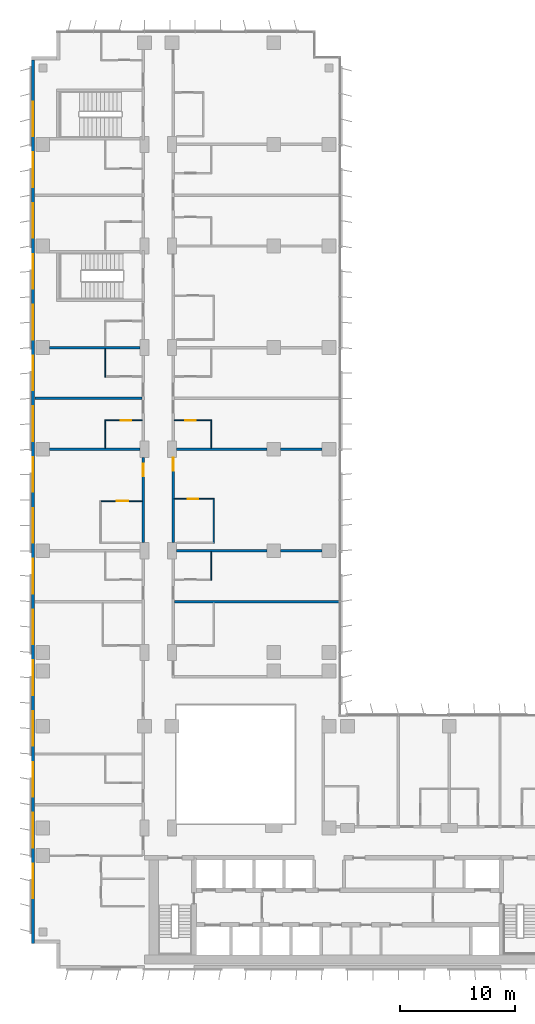
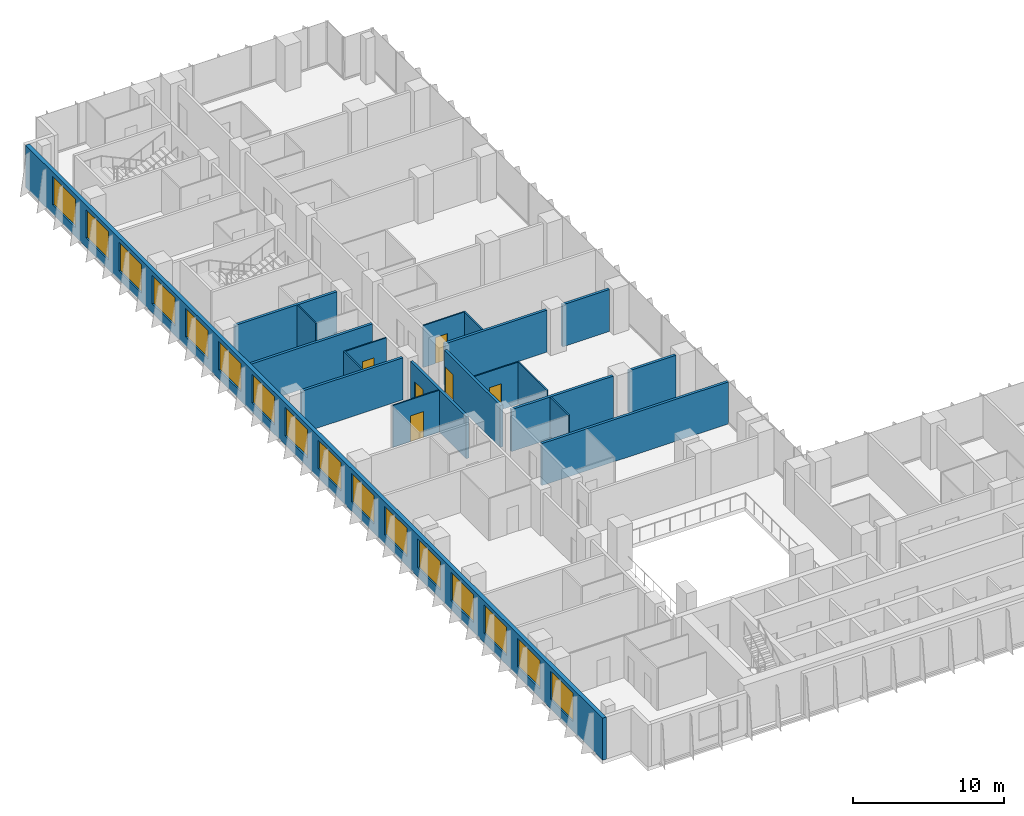
# One storey, part 16 of 23: 20 walls, 16 windows, 6 doors, 22 openings.
"""IFC4 building model written with IfcOpenShell, lengths in metres."""

from ifc_helpers import new_model, si_unit, direction, frame, frame_2d, origin, place, context, subcontext, project, spatial, rectangle, extrude, material, layer, layer_set, type_object, element, fill, save


model = new_model("IFC4")

# Units and contexts
model_context = context("Model", 3, precision=1e-05, world=origin(), true_north=direction((0.0, 1.0)))
body_context = subcontext(model_context, "Body", "Model", "MODEL_VIEW")
ifc_project = project(units=[si_unit("LENGTHUNIT", "METRE"), si_unit("AREAUNIT", "SQUARE_METRE"), si_unit("VOLUMEUNIT", "CUBIC_METRE"), si_unit("PLANEANGLEUNIT", "RADIAN"), si_unit("MASSUNIT", "GRAM", prefix="KILO")], contexts=[model_context])

# Site, building, storey
site_placement = place(None, origin())
site = spatial("IfcSite", under=ifc_project, at=site_placement, CompositionType="ELEMENT")
building_placement = place(site_placement, origin())
building = spatial("IfcBuilding", under=site, at=building_placement, Name="Kemantara Hotel Tower", CompositionType="ELEMENT")
storey_placement = place(building_placement, frame((0.0, 0.0, 114.800048828125)))
storey = spatial("IfcBuildingStorey", under=building, at=storey_placement, Name="L27", CompositionType="ELEMENT", Elevation=114.800048828125)

# Wall, openings, windows
ifc_material_1 = material(Name="Bronze anodised aluminium cladding on insulated steel stud wall", Category="steel")
ifc_layer_1 = layer(ifc_material_1, 0.300048828125)
ifc_layer_set_1 = layer_set([ifc_layer_1], Name="Bronze anodised aluminium cladding on insulated steel stud wall")
wall_type_1 = type_object("IfcWallType", Name="BRONZE METAL-CLAD EXTERNAL WALL 300", PredefinedType="STANDARD", material=ifc_layer_set_1)
wall_1_placement = place(storey_placement, frame((0.14990234375, 78.699951171875, 0.0), z_axis=(0.0, 0.0, 1.0), x_axis=(0.0, -1.0, 0.0)))
wall_1 = element("IfcWall", 1, at=wall_1_placement, inside=storey, type_object=wall_type_1, Name="EXTERNAL WALL L27 T2-R04", PredefinedType="STANDARD", context=body_context, shape_type="SweptSolid", body=[
    extrude(rectangle(XDim=76.5, YDim=0.300048828125, at=frame_2d((38.25, 0.0))), origin(), (0.0, 0.0, 1.0), 3.39990234375),
])
opening_1_placement = place(wall_1_placement, frame((3.60009765625, 0.0, 0.75)))
opening_1 = element("IfcOpeningElement", 2, at=opening_1_placement, cuts=wall_1, Name="Opening W1", PredefinedType="OPENING", context=body_context, shape_type="SweptSolid", body=[
    extrude(rectangle(XDim=3.0, YDim=2.300048828125, at=frame_2d((1.5, 1.14990234375))), frame((0.0, 0.159912109375, 0.0), z_axis=(0.0, -1.0, 0.0), x_axis=(1.0, 0.0, 0.0)), (0.0, 0.0, 1.0), 0.320068359375),
])
opening_2_placement = place(wall_1_placement, frame((8.0, 0.0, 0.75)))
opening_2 = element("IfcOpeningElement", 3, at=opening_2_placement, cuts=wall_1, Name="Opening W1", PredefinedType="OPENING", context=body_context, shape_type="SweptSolid", body=[
    extrude(rectangle(XDim=3.0, YDim=2.300048828125, at=frame_2d((1.5, 1.14990234375))), frame((0.0, 0.159912109375, 0.0), z_axis=(0.0, -1.0, 0.0), x_axis=(1.0, 0.0, 0.0)), (0.0, 0.0, 1.0), 0.320068359375),
])
opening_3_placement = place(wall_1_placement, frame((12.39990234375, 0.0, 0.75)))
opening_3 = element("IfcOpeningElement", 4, at=opening_3_placement, cuts=wall_1, Name="Opening W1", PredefinedType="OPENING", context=body_context, shape_type="SweptSolid", body=[
    extrude(rectangle(XDim=3.0, YDim=2.300048828125, at=frame_2d((1.5, 1.14990234375))), frame((0.0, 0.159912109375, 0.0), z_axis=(0.0, -1.0, 0.0), x_axis=(1.0, 0.0, 0.0)), (0.0, 0.0, 1.0), 0.320068359375),
])
opening_4_placement = place(wall_1_placement, frame((16.800048828125, 0.0, 0.75)))
opening_4 = element("IfcOpeningElement", 5, at=opening_4_placement, cuts=wall_1, Name="Opening W1", PredefinedType="OPENING", context=body_context, shape_type="SweptSolid", body=[
    extrude(rectangle(XDim=3.0, YDim=2.300048828125, at=frame_2d((1.5, 1.14990234375))), frame((0.0, 0.159912109375, 0.0), z_axis=(0.0, -1.0, 0.0), x_axis=(1.0, 0.0, 0.0)), (0.0, 0.0, 1.0), 0.320068359375),
])
opening_5_placement = place(wall_1_placement, frame((21.199951171875, 0.0, 0.75)))
opening_5 = element("IfcOpeningElement", 6, at=opening_5_placement, cuts=wall_1, Name="Opening W1", PredefinedType="OPENING", context=body_context, shape_type="SweptSolid", body=[
    extrude(rectangle(XDim=3.0, YDim=2.300048828125, at=frame_2d((1.5, 1.14990234375))), frame((0.0, 0.159912109375, 0.0), z_axis=(0.0, -1.0, 0.0), x_axis=(1.0, 0.0, 0.0)), (0.0, 0.0, 1.0), 0.320068359375),
])
opening_6_placement = place(wall_1_placement, frame((25.60009765625, 0.0, 0.75)))
opening_6 = element("IfcOpeningElement", 7, at=opening_6_placement, cuts=wall_1, Name="Opening W1", PredefinedType="OPENING", context=body_context, shape_type="SweptSolid", body=[
    extrude(rectangle(XDim=3.0, YDim=2.300048828125, at=frame_2d((1.5, 1.14990234375))), frame((0.0, 0.159912109375, 0.0), z_axis=(0.0, -1.0, 0.0), x_axis=(1.0, 0.0, 0.0)), (0.0, 0.0, 1.0), 0.320068359375),
])
opening_7_placement = place(wall_1_placement, frame((30.0, 0.0, 0.75)))
opening_7 = element("IfcOpeningElement", 8, at=opening_7_placement, cuts=wall_1, Name="Opening W1", PredefinedType="OPENING", context=body_context, shape_type="SweptSolid", body=[
    extrude(rectangle(XDim=3.0, YDim=2.300048828125, at=frame_2d((1.5, 1.14990234375))), frame((0.0, 0.159912109375, 0.0), z_axis=(0.0, -1.0, 0.0), x_axis=(1.0, 0.0, 0.0)), (0.0, 0.0, 1.0), 0.320068359375),
])
opening_8_placement = place(wall_1_placement, frame((34.39990234375, 0.0, 0.75)))
opening_8 = element("IfcOpeningElement", 9, at=opening_8_placement, cuts=wall_1, Name="Opening W1", PredefinedType="OPENING", context=body_context, shape_type="SweptSolid", body=[
    extrude(rectangle(XDim=3.0, YDim=2.300048828125, at=frame_2d((1.5, 1.14990234375))), frame((0.0, 0.159912109375, 0.0), z_axis=(0.0, -1.0, 0.0), x_axis=(1.0, 0.0, 0.0)), (0.0, 0.0, 1.0), 0.320068359375),
])
opening_9_placement = place(wall_1_placement, frame((38.800048828125, 0.0, 0.75)))
opening_9 = element("IfcOpeningElement", 10, at=opening_9_placement, cuts=wall_1, Name="Opening W1", PredefinedType="OPENING", context=body_context, shape_type="SweptSolid", body=[
    extrude(rectangle(XDim=3.0, YDim=2.300048828125, at=frame_2d((1.5, 1.14990234375))), frame((0.0, 0.159912109375, 0.0), z_axis=(0.0, -1.0, 0.0), x_axis=(1.0, 0.0, 0.0)), (0.0, 0.0, 1.0), 0.320068359375),
])
opening_10_placement = place(wall_1_placement, frame((43.199951171875, 0.0, 0.75)))
opening_10 = element("IfcOpeningElement", 11, at=opening_10_placement, cuts=wall_1, Name="Opening W1", PredefinedType="OPENING", context=body_context, shape_type="SweptSolid", body=[
    extrude(rectangle(XDim=3.0, YDim=2.300048828125, at=frame_2d((1.5, 1.14990234375))), frame((0.0, 0.159912109375, 0.0), z_axis=(0.0, -1.0, 0.0), x_axis=(1.0, 0.0, 0.0)), (0.0, 0.0, 1.0), 0.320068359375),
])
opening_11_placement = place(wall_1_placement, frame((47.60009765625, 0.0, 0.75)))
opening_11 = element("IfcOpeningElement", 12, at=opening_11_placement, cuts=wall_1, Name="Opening W1", PredefinedType="OPENING", context=body_context, shape_type="SweptSolid", body=[
    extrude(rectangle(XDim=3.0, YDim=2.300048828125, at=frame_2d((1.5, 1.14990234375))), frame((0.0, 0.159912109375, 0.0), z_axis=(0.0, -1.0, 0.0), x_axis=(1.0, 0.0, 0.0)), (0.0, 0.0, 1.0), 0.320068359375),
])
opening_12_placement = place(wall_1_placement, frame((52.0, 0.0, 0.75)))
opening_12 = element("IfcOpeningElement", 13, at=opening_12_placement, cuts=wall_1, Name="Opening W1", PredefinedType="OPENING", context=body_context, shape_type="SweptSolid", body=[
    extrude(rectangle(XDim=3.0, YDim=2.300048828125, at=frame_2d((1.5, 1.14990234375))), frame((0.0, 0.159912109375, 0.0), z_axis=(0.0, -1.0, 0.0), x_axis=(1.0, 0.0, 0.0)), (0.0, 0.0, 1.0), 0.320068359375),
])
opening_13_placement = place(wall_1_placement, frame((56.39990234375, 0.0, 0.75)))
opening_13 = element("IfcOpeningElement", 14, at=opening_13_placement, cuts=wall_1, Name="Opening W1", PredefinedType="OPENING", context=body_context, shape_type="SweptSolid", body=[
    extrude(rectangle(XDim=3.0, YDim=2.300048828125, at=frame_2d((1.5, 1.14990234375))), frame((0.0, 0.159912109375, 0.0), z_axis=(0.0, -1.0, 0.0), x_axis=(1.0, 0.0, 0.0)), (0.0, 0.0, 1.0), 0.320068359375),
])
opening_14_placement = place(wall_1_placement, frame((60.800048828125, 0.0, 0.75)))
opening_14 = element("IfcOpeningElement", 15, at=opening_14_placement, cuts=wall_1, Name="Opening W1", PredefinedType="OPENING", context=body_context, shape_type="SweptSolid", body=[
    extrude(rectangle(XDim=3.0, YDim=2.300048828125, at=frame_2d((1.5, 1.14990234375))), frame((0.0, 0.159912109375, 0.0), z_axis=(0.0, -1.0, 0.0), x_axis=(1.0, 0.0, 0.0)), (0.0, 0.0, 1.0), 0.320068359375),
])
opening_15_placement = place(wall_1_placement, frame((65.199951171875, 0.0, 0.75)))
opening_15 = element("IfcOpeningElement", 16, at=opening_15_placement, cuts=wall_1, Name="Opening W1", PredefinedType="OPENING", context=body_context, shape_type="SweptSolid", body=[
    extrude(rectangle(XDim=3.0, YDim=2.300048828125, at=frame_2d((1.5, 1.14990234375))), frame((0.0, 0.159912109375, 0.0), z_axis=(0.0, -1.0, 0.0), x_axis=(1.0, 0.0, 0.0)), (0.0, 0.0, 1.0), 0.320068359375),
])
opening_16_placement = place(wall_1_placement, frame((69.60009765625, 0.0, 0.75)))
opening_16 = element("IfcOpeningElement", 17, at=opening_16_placement, cuts=wall_1, Name="Opening W1", PredefinedType="OPENING", context=body_context, shape_type="SweptSolid", body=[
    extrude(rectangle(XDim=3.0, YDim=2.300048828125, at=frame_2d((1.5, 1.14990234375))), frame((0.0, 0.159912109375, 0.0), z_axis=(0.0, -1.0, 0.0), x_axis=(1.0, 0.0, 0.0)), (0.0, 0.0, 1.0), 0.320068359375),
])
ifc_material_2 = material(Name="Low-E tinted double insulated glass in bronze anodised aluminium frame", Category="aluminium")
window_type = type_object("IfcWindowType", Name="CHICAGO WINDOW, TRIPLE PANEL 3000x2300", PartitioningType="TRIPLE_PANEL_VERTICAL", PredefinedType="WINDOW", material=ifc_material_2)
window_1_placement = place(opening_1_placement, origin())
window_1 = element("IfcWindow", 18, at=window_1_placement, inside=storey, type_object=window_type, Name="CHICAGO WINDOW L27 T2-R04-54", OverallHeight=2.300048828125, OverallWidth=3.0, PartitioningType="SINGLE_PANEL", PredefinedType="WINDOW", context=body_context, shape_type="SweptSolid", body=[
    extrude(rectangle(XDim=3.0, YDim=2.300048828125, at=frame_2d((1.5, 1.14990234375))), frame((0.0, 0.030029296875, 0.0), z_axis=(0.0, -1.0, 0.0), x_axis=(1.0, 0.0, 0.0)), (0.0, 0.0, 1.0), 0.06005859375),
])
fill(opening_1, window_1)
window_2_placement = place(opening_2_placement, origin())
window_2 = element("IfcWindow", 19, at=window_2_placement, inside=storey, type_object=window_type, Name="CHICAGO WINDOW L27 T2-R04-98", OverallHeight=2.300048828125, OverallWidth=3.0, PartitioningType="SINGLE_PANEL", PredefinedType="WINDOW", context=body_context, shape_type="SweptSolid", body=[
    extrude(rectangle(XDim=3.0, YDim=2.300048828125, at=frame_2d((1.5, 1.14990234375))), frame((0.0, 0.030029296875, 0.0), z_axis=(0.0, -1.0, 0.0), x_axis=(1.0, 0.0, 0.0)), (0.0, 0.0, 1.0), 0.06005859375),
])
fill(opening_2, window_2)
window_3_placement = place(opening_3_placement, origin())
window_3 = element("IfcWindow", 20, at=window_3_placement, inside=storey, type_object=window_type, Name="CHICAGO WINDOW L27 T2-R04-142", OverallHeight=2.300048828125, OverallWidth=3.0, PartitioningType="SINGLE_PANEL", PredefinedType="WINDOW", context=body_context, shape_type="SweptSolid", body=[
    extrude(rectangle(XDim=3.0, YDim=2.300048828125, at=frame_2d((1.5, 1.14990234375))), frame((0.0, 0.030029296875, 0.0), z_axis=(0.0, -1.0, 0.0), x_axis=(1.0, 0.0, 0.0)), (0.0, 0.0, 1.0), 0.06005859375),
])
fill(opening_3, window_3)
window_4_placement = place(opening_4_placement, origin())
window_4 = element("IfcWindow", 21, at=window_4_placement, inside=storey, type_object=window_type, Name="CHICAGO WINDOW L27 T2-R04-186", OverallHeight=2.300048828125, OverallWidth=3.0, PartitioningType="SINGLE_PANEL", PredefinedType="WINDOW", context=body_context, shape_type="SweptSolid", body=[
    extrude(rectangle(XDim=3.0, YDim=2.300048828125, at=frame_2d((1.5, 1.14990234375))), frame((0.0, 0.030029296875, 0.0), z_axis=(0.0, -1.0, 0.0), x_axis=(1.0, 0.0, 0.0)), (0.0, 0.0, 1.0), 0.06005859375),
])
fill(opening_4, window_4)
window_5_placement = place(opening_5_placement, origin())
window_5 = element("IfcWindow", 22, at=window_5_placement, inside=storey, type_object=window_type, Name="CHICAGO WINDOW L27 T2-R04-230", OverallHeight=2.300048828125, OverallWidth=3.0, PartitioningType="SINGLE_PANEL", PredefinedType="WINDOW", context=body_context, shape_type="SweptSolid", body=[
    extrude(rectangle(XDim=3.0, YDim=2.300048828125, at=frame_2d((1.5, 1.14990234375))), frame((0.0, 0.030029296875, 0.0), z_axis=(0.0, -1.0, 0.0), x_axis=(1.0, 0.0, 0.0)), (0.0, 0.0, 1.0), 0.06005859375),
])
fill(opening_5, window_5)
window_6_placement = place(opening_6_placement, origin())
window_6 = element("IfcWindow", 23, at=window_6_placement, inside=storey, type_object=window_type, Name="CHICAGO WINDOW L27 T2-R04-274", OverallHeight=2.300048828125, OverallWidth=3.0, PartitioningType="SINGLE_PANEL", PredefinedType="WINDOW", context=body_context, shape_type="SweptSolid", body=[
    extrude(rectangle(XDim=3.0, YDim=2.300048828125, at=frame_2d((1.5, 1.14990234375))), frame((0.0, 0.030029296875, 0.0), z_axis=(0.0, -1.0, 0.0), x_axis=(1.0, 0.0, 0.0)), (0.0, 0.0, 1.0), 0.06005859375),
])
fill(opening_6, window_6)
window_7_placement = place(opening_7_placement, origin())
window_7 = element("IfcWindow", 24, at=window_7_placement, inside=storey, type_object=window_type, Name="CHICAGO WINDOW L27 T2-R04-318", OverallHeight=2.300048828125, OverallWidth=3.0, PartitioningType="SINGLE_PANEL", PredefinedType="WINDOW", context=body_context, shape_type="SweptSolid", body=[
    extrude(rectangle(XDim=3.0, YDim=2.300048828125, at=frame_2d((1.5, 1.14990234375))), frame((0.0, 0.030029296875, 0.0), z_axis=(0.0, -1.0, 0.0), x_axis=(1.0, 0.0, 0.0)), (0.0, 0.0, 1.0), 0.06005859375),
])
fill(opening_7, window_7)
window_8_placement = place(opening_8_placement, origin())
window_8 = element("IfcWindow", 25, at=window_8_placement, inside=storey, type_object=window_type, Name="CHICAGO WINDOW L27 T2-R04-362", OverallHeight=2.300048828125, OverallWidth=3.0, PartitioningType="SINGLE_PANEL", PredefinedType="WINDOW", context=body_context, shape_type="SweptSolid", body=[
    extrude(rectangle(XDim=3.0, YDim=2.300048828125, at=frame_2d((1.5, 1.14990234375))), frame((0.0, 0.030029296875, 0.0), z_axis=(0.0, -1.0, 0.0), x_axis=(1.0, 0.0, 0.0)), (0.0, 0.0, 1.0), 0.06005859375),
])
fill(opening_8, window_8)
window_9_placement = place(opening_9_placement, origin())
window_9 = element("IfcWindow", 26, at=window_9_placement, inside=storey, type_object=window_type, Name="CHICAGO WINDOW L27 T2-R04-406", OverallHeight=2.300048828125, OverallWidth=3.0, PartitioningType="SINGLE_PANEL", PredefinedType="WINDOW", context=body_context, shape_type="SweptSolid", body=[
    extrude(rectangle(XDim=3.0, YDim=2.300048828125, at=frame_2d((1.5, 1.14990234375))), frame((0.0, 0.030029296875, 0.0), z_axis=(0.0, -1.0, 0.0), x_axis=(1.0, 0.0, 0.0)), (0.0, 0.0, 1.0), 0.06005859375),
])
fill(opening_9, window_9)
window_10_placement = place(opening_10_placement, origin())
window_10 = element("IfcWindow", 27, at=window_10_placement, inside=storey, type_object=window_type, Name="CHICAGO WINDOW L27 T2-R04-450", OverallHeight=2.300048828125, OverallWidth=3.0, PartitioningType="SINGLE_PANEL", PredefinedType="WINDOW", context=body_context, shape_type="SweptSolid", body=[
    extrude(rectangle(XDim=3.0, YDim=2.300048828125, at=frame_2d((1.5, 1.14990234375))), frame((0.0, 0.030029296875, 0.0), z_axis=(0.0, -1.0, 0.0), x_axis=(1.0, 0.0, 0.0)), (0.0, 0.0, 1.0), 0.06005859375),
])
fill(opening_10, window_10)
window_11_placement = place(opening_11_placement, origin())
window_11 = element("IfcWindow", 28, at=window_11_placement, inside=storey, type_object=window_type, Name="CHICAGO WINDOW L27 T2-R04-494", OverallHeight=2.300048828125, OverallWidth=3.0, PartitioningType="SINGLE_PANEL", PredefinedType="WINDOW", context=body_context, shape_type="SweptSolid", body=[
    extrude(rectangle(XDim=3.0, YDim=2.300048828125, at=frame_2d((1.5, 1.14990234375))), frame((0.0, 0.030029296875, 0.0), z_axis=(0.0, -1.0, 0.0), x_axis=(1.0, 0.0, 0.0)), (0.0, 0.0, 1.0), 0.06005859375),
])
fill(opening_11, window_11)
window_12_placement = place(opening_12_placement, origin())
window_12 = element("IfcWindow", 29, at=window_12_placement, inside=storey, type_object=window_type, Name="CHICAGO WINDOW L27 T2-R04-538", OverallHeight=2.300048828125, OverallWidth=3.0, PartitioningType="SINGLE_PANEL", PredefinedType="WINDOW", context=body_context, shape_type="SweptSolid", body=[
    extrude(rectangle(XDim=3.0, YDim=2.300048828125, at=frame_2d((1.5, 1.14990234375))), frame((0.0, 0.030029296875, 0.0), z_axis=(0.0, -1.0, 0.0), x_axis=(1.0, 0.0, 0.0)), (0.0, 0.0, 1.0), 0.06005859375),
])
fill(opening_12, window_12)
window_13_placement = place(opening_13_placement, origin())
window_13 = element("IfcWindow", 30, at=window_13_placement, inside=storey, type_object=window_type, Name="CHICAGO WINDOW L27 T2-R04-582", OverallHeight=2.300048828125, OverallWidth=3.0, PartitioningType="SINGLE_PANEL", PredefinedType="WINDOW", context=body_context, shape_type="SweptSolid", body=[
    extrude(rectangle(XDim=3.0, YDim=2.300048828125, at=frame_2d((1.5, 1.14990234375))), frame((0.0, 0.030029296875, 0.0), z_axis=(0.0, -1.0, 0.0), x_axis=(1.0, 0.0, 0.0)), (0.0, 0.0, 1.0), 0.06005859375),
])
fill(opening_13, window_13)
window_14_placement = place(opening_14_placement, origin())
window_14 = element("IfcWindow", 31, at=window_14_placement, inside=storey, type_object=window_type, Name="CHICAGO WINDOW L27 T2-R04-626", OverallHeight=2.300048828125, OverallWidth=3.0, PartitioningType="SINGLE_PANEL", PredefinedType="WINDOW", context=body_context, shape_type="SweptSolid", body=[
    extrude(rectangle(XDim=3.0, YDim=2.300048828125, at=frame_2d((1.5, 1.14990234375))), frame((0.0, 0.030029296875, 0.0), z_axis=(0.0, -1.0, 0.0), x_axis=(1.0, 0.0, 0.0)), (0.0, 0.0, 1.0), 0.06005859375),
])
fill(opening_14, window_14)
window_15_placement = place(opening_15_placement, origin())
window_15 = element("IfcWindow", 32, at=window_15_placement, inside=storey, type_object=window_type, Name="CHICAGO WINDOW L27 T2-R04-670", OverallHeight=2.300048828125, OverallWidth=3.0, PartitioningType="SINGLE_PANEL", PredefinedType="WINDOW", context=body_context, shape_type="SweptSolid", body=[
    extrude(rectangle(XDim=3.0, YDim=2.300048828125, at=frame_2d((1.5, 1.14990234375))), frame((0.0, 0.030029296875, 0.0), z_axis=(0.0, -1.0, 0.0), x_axis=(1.0, 0.0, 0.0)), (0.0, 0.0, 1.0), 0.06005859375),
])
fill(opening_15, window_15)
window_16_placement = place(opening_16_placement, origin())
window_16 = element("IfcWindow", 33, at=window_16_placement, inside=storey, type_object=window_type, Name="CHICAGO WINDOW L27 T2-R04-714", OverallHeight=2.300048828125, OverallWidth=3.0, PartitioningType="SINGLE_PANEL", PredefinedType="WINDOW", context=body_context, shape_type="SweptSolid", body=[
    extrude(rectangle(XDim=3.0, YDim=2.300048828125, at=frame_2d((1.5, 1.14990234375))), frame((0.0, 0.030029296875, 0.0), z_axis=(0.0, -1.0, 0.0), x_axis=(1.0, 0.0, 0.0)), (0.0, 0.0, 1.0), 0.06005859375),
])
fill(opening_16, window_16)

# Wall, opening, door
ifc_material_3 = material(Name="Gypsum board partition, steel studs and mineral wool, 200 mm", Category="steel")
ifc_layer_2 = layer(ifc_material_3, 0.199951171875)
ifc_layer_set_2 = layer_set([ifc_layer_2], Name="Gypsum board partition, steel studs and mineral wool, 200 mm")
wall_type_2 = type_object("IfcWallType", Name="CORRIDOR WALL 200", PredefinedType="PARTITIONING", material=ifc_layer_set_2)
wall_2_placement = place(storey_placement, frame((9.699951171875, 36.900146484375, 0.0), z_axis=(0.0, 0.0, 1.0), x_axis=(0.0, 1.0, 0.0)))
wall_2 = element("IfcWall", 34, at=wall_2_placement, inside=storey, type_object=wall_type_2, Name="CORRIDOR WALL 200 022", PredefinedType="PARTITIONING", context=body_context, shape_type="SweptSolid", body=[
    extrude(rectangle(XDim=7.399658203125, YDim=0.199951171875, at=frame_2d((3.69970703125, 0.0))), origin(), (0.0, 0.0, 1.0), 3.39990234375),
])
opening_17_placement = place(wall_2_placement, frame((5.75, 0.0, 0.0)))
opening_17 = element("IfcOpeningElement", 35, at=opening_17_placement, cuts=wall_2, Name="Opening F12-031", PredefinedType="OPENING", context=body_context, shape_type="SweptSolid", body=[
    extrude(rectangle(XDim=1.10009765625, YDim=2.10009765625, at=frame_2d((0.550048828125, 1.050048828125))), frame((0.0, 0.10986328125, 0.0), z_axis=(0.0, -1.0, 0.0), x_axis=(1.0, 0.0, 0.0)), (0.0, 0.0, 1.0), 0.219970703125),
])
ifc_material_4 = material(Name="Hardwood veneer door leaf with steel frame", Category="steel")
door_type_1 = type_object("IfcDoorType", Name="GUEST ROOM DOOR 1100 X 2100 FD30S", OperationType="NOTDEFINED", PredefinedType="DOOR", material=ifc_material_4)
door_1_placement = place(opening_17_placement, origin())
door_1 = element("IfcDoor", 36, at=door_1_placement, inside=storey, type_object=door_type_1, Name="GUEST ROOM DOOR F12-031", OperationType="SINGLE_SWING_RIGHT", OverallHeight=2.10009765625, OverallWidth=1.10009765625, PredefinedType="DOOR", context=body_context, shape_type="SweptSolid", body=[
    extrude(rectangle(XDim=1.10009765625, YDim=2.10009765625, at=frame_2d((0.550048828125, 1.050048828125))), frame((0.0, 0.02490234375, 0.0), z_axis=(0.0, -1.0, 0.0), x_axis=(1.0, 0.0, 0.0)), (0.0, 0.0, 1.0), 0.050048828125),
])
fill(opening_17, door_1)

wall_3_placement = place(storey_placement, frame((12.300048828125, 44.2998046875, 0.0), z_axis=(0.0, 0.0, 1.0), x_axis=(0.0, -1.0, 0.0)))
wall_3 = element("IfcWall", 37, at=wall_3_placement, inside=storey, type_object=wall_type_2, Name="CORRIDOR WALL 200 046", PredefinedType="PARTITIONING", context=body_context, shape_type="SweptSolid", body=[
    extrude(rectangle(XDim=7.399658203125, YDim=0.199951171875, at=frame_2d((3.69970703125, 0.0))), origin(), (0.0, 0.0, 1.0), 3.39990234375),
])
opening_18_placement = place(wall_3_placement, frame((0.0498046875, 0.0, 0.0)))
opening_18 = element("IfcOpeningElement", 38, at=opening_18_placement, cuts=wall_3, Name="Opening F12-049", PredefinedType="OPENING", context=body_context, shape_type="SweptSolid", body=[
    extrude(rectangle(XDim=1.10009765625, YDim=2.10009765625, at=frame_2d((0.550048828125, 1.050048828125))), frame((0.0, 0.10986328125, 0.0), z_axis=(0.0, -1.0, 0.0), x_axis=(1.0, 0.0, 0.0)), (0.0, 0.0, 1.0), 0.219970703125),
])
door_type_2 = type_object("IfcDoorType", Name="SUITE ENTRANCE DOOR 1100 X 2100 FD30S", OperationType="NOTDEFINED", PredefinedType="DOOR", material=ifc_material_4)
door_2_placement = place(opening_18_placement, origin())
door_2 = element("IfcDoor", 39, at=door_2_placement, inside=storey, type_object=door_type_2, Name="SUITE ENTRANCE DOOR F12-049", OperationType="SINGLE_SWING_LEFT", OverallHeight=2.10009765625, OverallWidth=1.10009765625, PredefinedType="DOOR", context=body_context, shape_type="SweptSolid", body=[
    extrude(rectangle(XDim=1.10009765625, YDim=2.10009765625, at=frame_2d((0.550048828125, 1.050048828125))), frame((0.0, 0.02490234375, 0.0), z_axis=(0.0, -1.0, 0.0), x_axis=(1.0, 0.0, 0.0)), (0.0, 0.0, 1.0), 0.050048828125),
])
fill(opening_18, door_2)

# Walls
ifc_layer_3 = layer(ifc_material_3, 0.199951171875)
ifc_layer_set_3 = layer_set([ifc_layer_3], Name="Gypsum board partition, steel studs and mineral wool, 200 mm")
wall_type_3 = type_object("IfcWallType", Name="GUEST ROOM PARTY WALL 200", PredefinedType="PARTITIONING", material=ifc_layer_set_3)
wall_4_placement = place(storey_placement, frame((12.39990234375, 31.800048828125, 0.0), z_axis=(0.0, 0.0, 1.0), x_axis=(1.0, 0.0, 0.0)))
element("IfcWall", 40, at=wall_4_placement, inside=storey, type_object=wall_type_3, Name="GUEST ROOM PARTY WALL 200 030", PredefinedType="PARTITIONING", context=body_context, shape_type="SweptSolid", body=[
    extrude(rectangle(XDim=14.27001953125, YDim=0.199951171875, at=frame_2d((7.135009765625, 0.0))), origin(), (0.0, 0.0, 1.0), 3.39990234375),
])
wall_5_placement = place(storey_placement, frame((12.60009765625, 36.199951171875, 0.0), z_axis=(0.0, 0.0, 1.0), x_axis=(1.0, 0.0, 0.0)))
element("IfcWall", 41, at=wall_5_placement, inside=storey, type_object=wall_type_3, Name="GUEST ROOM PARTY WALL 200 032", PredefinedType="PARTITIONING", context=body_context, shape_type="SweptSolid", body=[
    extrude(rectangle(XDim=7.7998046875, YDim=0.199951171875, at=frame_2d((3.89990234375, 0.0))), origin(), (0.0, 0.0, 1.0), 3.39990234375),
])
wall_6_placement = place(storey_placement, frame((21.60009765625, 36.199951171875, 0.0), z_axis=(0.0, 0.0, 1.0), x_axis=(1.0, 0.0, 0.0)))
element("IfcWall", 42, at=wall_6_placement, inside=storey, type_object=wall_type_3, Name="GUEST ROOM PARTY WALL 200 033", PredefinedType="PARTITIONING", context=body_context, shape_type="SweptSolid", body=[
    extrude(rectangle(XDim=3.599853515625, YDim=0.199951171875, at=frame_2d((1.7998046875, 0.0))), origin(), (0.0, 0.0, 1.0), 3.39990234375),
])
for number, where, z_axis, x_axis, name in (
    (43, (1.60009765625, 45.0, 0.0), (0.0, 0.0, 1.0), (1.0, 0.0, 0.0), "GUEST ROOM PARTY WALL 200 034"),
    (44, (12.60009765625, 45.0, 0.0), (0.0, 0.0, 1.0), (1.0, 0.0, 0.0), "GUEST ROOM PARTY WALL 200 035"),
):
    element("IfcWall", number, at=place(storey_placement, frame(where, z_axis=z_axis, x_axis=x_axis)), inside=storey, type_object=wall_type_3, Name=name, PredefinedType="PARTITIONING", context=body_context, shape_type="SweptSolid", body=[
        extrude(rectangle(XDim=7.7998046875, YDim=0.199951171875, at=frame_2d((3.89990234375, 0.0))), origin(), (0.0, 0.0, 1.0), 3.39990234375),
    ])
wall_7_placement = place(storey_placement, frame((21.60009765625, 45.0, 0.0), z_axis=(0.0, 0.0, 1.0), x_axis=(1.0, 0.0, 0.0)))
element("IfcWall", 45, at=wall_7_placement, inside=storey, type_object=wall_type_3, Name="GUEST ROOM PARTY WALL 200 036", PredefinedType="PARTITIONING", context=body_context, shape_type="SweptSolid", body=[
    extrude(rectangle(XDim=3.599853515625, YDim=0.199951171875, at=frame_2d((1.7998046875, 0.0))), origin(), (0.0, 0.0, 1.0), 3.39990234375),
])
wall_8_placement = place(storey_placement, frame((0.31005859375, 49.39990234375, 0.0), z_axis=(0.0, 0.0, 1.0), x_axis=(1.0, 0.0, 0.0)))
element("IfcWall", 46, at=wall_8_placement, inside=storey, type_object=wall_type_3, Name="GUEST ROOM PARTY WALL 200 037", PredefinedType="PARTITIONING", context=body_context, shape_type="SweptSolid", body=[
    extrude(rectangle(XDim=9.2900390625, YDim=0.199951171875, at=frame_2d((4.64501953125, 0.0))), origin(), (0.0, 0.0, 1.0), 3.39990234375),
])
wall_9_placement = place(storey_placement, frame((1.60009765625, 53.800048828125, 0.0), z_axis=(0.0, 0.0, 1.0), x_axis=(1.0, 0.0, 0.0)))
element("IfcWall", 47, at=wall_9_placement, inside=storey, type_object=wall_type_3, Name="GUEST ROOM PARTY WALL 200 039", PredefinedType="PARTITIONING", context=body_context, shape_type="SweptSolid", body=[
    extrude(rectangle(XDim=7.7998046875, YDim=0.199951171875, at=frame_2d((3.89990234375, 0.0))), origin(), (0.0, 0.0, 1.0), 3.39990234375),
])
ifc_material_5 = material(Name="Gypsum board partition on steel studs, 100 mm", Category="steel")
ifc_layer_4 = layer(ifc_material_5, 0.10009765625)
ifc_layer_set_4 = layer_set([ifc_layer_4], Name="Gypsum board partition on steel studs, 100 mm")
wall_type_4 = type_object("IfcWallType", Name="ROOM PARTITION 100", PredefinedType="PARTITIONING", material=ifc_layer_set_4)
for number, where, z_axis, x_axis, name in (
    (48, (6.39990234375, 45.10009765625, 0.0), (0.0, 0.0, 1.0), (0.0, 1.0, 0.0), "ROOM PARTITION 100 084"),
    (49, (6.39990234375, 51.25, 0.0), (0.0, 0.0, 1.0), (0.0, 1.0, 0.0), "ROOM PARTITION 100 085"),
):
    element("IfcWall", number, at=place(storey_placement, frame(where, z_axis=z_axis, x_axis=x_axis)), inside=storey, type_object=wall_type_4, Name=name, PredefinedType="PARTITIONING", context=body_context, shape_type="SweptSolid", body=[
        extrude(rectangle(XDim=2.449951171875, YDim=0.10009765625, at=frame_2d((1.22509765625, 0.0))), origin(), (0.0, 0.0, 1.0), 3.39990234375),
    ])

# Wall, opening, door
wall_10_placement = place(storey_placement, frame((9.60009765625, 40.5, 0.0), z_axis=(0.0, 0.0, 1.0), x_axis=(-1.0, 0.0, 0.0)))
wall_10 = element("IfcWall", 50, at=wall_10_placement, inside=storey, type_object=wall_type_4, Name="ROOM PARTITION 100 098", PredefinedType="PARTITIONING", context=body_context, shape_type="SweptSolid", body=[
    extrude(rectangle(XDim=3.550048828125, YDim=0.10009765625, at=frame_2d((1.77490234375, 0.0))), origin(), (0.0, 0.0, 1.0), 3.39990234375),
])
opening_19_placement = place(wall_10_placement, frame((1.199951171875, 0.0, 0.0)))
opening_19 = element("IfcOpeningElement", 51, at=opening_19_placement, cuts=wall_10, Name="Opening F12-032", PredefinedType="OPENING", context=body_context, shape_type="SweptSolid", body=[
    extrude(rectangle(XDim=1.0, YDim=2.10009765625, at=frame_2d((0.5, 1.050048828125))), frame((0.0, 0.06005859375, 0.0), z_axis=(0.0, -1.0, 0.0), x_axis=(1.0, 0.0, 0.0)), (0.0, 0.0, 1.0), 0.1201171875),
])
door_type_3 = type_object("IfcDoorType", Name="BATHROOM DOOR 1000 X 2100", OperationType="NOTDEFINED", PredefinedType="DOOR", material=ifc_material_4)
door_3_placement = place(opening_19_placement, origin())
door_3 = element("IfcDoor", 52, at=door_3_placement, inside=storey, type_object=door_type_3, Name="BATHROOM DOOR F12-032", OperationType="SINGLE_SWING_LEFT", OverallHeight=2.10009765625, OverallWidth=1.0, PredefinedType="DOOR", context=body_context, shape_type="SweptSolid", body=[
    extrude(rectangle(XDim=1.0, YDim=2.10009765625, at=frame_2d((0.5, 1.050048828125))), frame((0.0, 0.02490234375, 0.0), z_axis=(0.0, -1.0, 0.0), x_axis=(1.0, 0.0, 0.0)), (0.0, 0.0, 1.0), 0.050048828125),
])
fill(opening_19, door_3)

wall_11_placement = place(storey_placement, frame((9.60009765625, 47.5, 0.0), z_axis=(0.0, 0.0, 1.0), x_axis=(-1.0, 0.0, 0.0)))
wall_11 = element("IfcWall", 53, at=wall_11_placement, inside=storey, type_object=wall_type_4, Name="ROOM PARTITION 100 099", PredefinedType="PARTITIONING", context=body_context, shape_type="SweptSolid", body=[
    extrude(rectangle(XDim=3.150146484375, YDim=0.10009765625, at=frame_2d((1.5751953125, 0.0))), origin(), (0.0, 0.0, 1.0), 3.39990234375),
])
opening_20_placement = place(wall_11_placement, frame((0.949951171875, 0.0, 0.0)))
opening_20 = element("IfcOpeningElement", 54, at=opening_20_placement, cuts=wall_11, Name="Opening F12-034", PredefinedType="OPENING", context=body_context, shape_type="SweptSolid", body=[
    extrude(rectangle(XDim=0.89990234375, YDim=2.10009765625, at=frame_2d((0.449951171875, 1.050048828125))), frame((0.0, 0.06005859375, 0.0), z_axis=(0.0, -1.0, 0.0), x_axis=(1.0, 0.0, 0.0)), (0.0, 0.0, 1.0), 0.1201171875),
])
door_type_4 = type_object("IfcDoorType", Name="BATHROOM DOOR 900 X 2100", OperationType="NOTDEFINED", PredefinedType="DOOR", material=ifc_material_4)
door_4_placement = place(opening_20_placement, origin())
door_4 = element("IfcDoor", 55, at=door_4_placement, inside=storey, type_object=door_type_4, Name="BATHROOM DOOR F12-034", OperationType="SINGLE_SWING_LEFT", OverallHeight=2.10009765625, OverallWidth=0.89990234375, PredefinedType="DOOR", context=body_context, shape_type="SweptSolid", body=[
    extrude(rectangle(XDim=0.89990234375, YDim=2.10009765625, at=frame_2d((0.449951171875, 1.050048828125))), frame((0.0, 0.02490234375, 0.0), z_axis=(0.0, -1.0, 0.0), x_axis=(1.0, 0.0, 0.0)), (0.0, 0.0, 1.0), 0.050048828125),
])
fill(opening_20, door_4)

wall_12_placement = place(storey_placement, frame((15.550048828125, 47.5, 0.0), z_axis=(0.0, 0.0, 1.0), x_axis=(-1.0, 0.0, 0.0)))
wall_12 = element("IfcWall", 56, at=wall_12_placement, inside=storey, type_object=wall_type_4, Name="ROOM PARTITION 100 100", PredefinedType="PARTITIONING", context=body_context, shape_type="SweptSolid", body=[
    extrude(rectangle(XDim=3.150146484375, YDim=0.10009765625, at=frame_2d((1.5751953125, 0.0))), origin(), (0.0, 0.0, 1.0), 3.39990234375),
])
opening_21_placement = place(wall_12_placement, frame((1.300048828125, 0.0, 0.0)))
opening_21 = element("IfcOpeningElement", 57, at=opening_21_placement, cuts=wall_12, Name="Opening F12-052", PredefinedType="OPENING", context=body_context, shape_type="SweptSolid", body=[
    extrude(rectangle(XDim=0.89990234375, YDim=2.10009765625, at=frame_2d((0.449951171875, 1.050048828125))), frame((0.0, 0.06005859375, 0.0), z_axis=(0.0, -1.0, 0.0), x_axis=(1.0, 0.0, 0.0)), (0.0, 0.0, 1.0), 0.1201171875),
])
door_5_placement = place(opening_21_placement, origin())
door_5 = element("IfcDoor", 58, at=door_5_placement, inside=storey, type_object=door_type_4, Name="BATHROOM DOOR F12-052", OperationType="SINGLE_SWING_RIGHT", OverallHeight=2.10009765625, OverallWidth=0.89990234375, PredefinedType="DOOR", context=body_context, shape_type="SweptSolid", body=[
    extrude(rectangle(XDim=0.89990234375, YDim=2.10009765625, at=frame_2d((0.449951171875, 1.050048828125))), frame((0.0, 0.02490234375, 0.0), z_axis=(0.0, -1.0, 0.0), x_axis=(1.0, 0.0, 0.0)), (0.0, 0.0, 1.0), 0.050048828125),
])
fill(opening_21, door_5)

# Walls
wall_13_placement = place(storey_placement, frame((15.800048828125, 36.85009765625, 0.0), z_axis=(0.0, 0.0, 1.0), x_axis=(0.0, 1.0, 0.0)))
element("IfcWall", 59, at=wall_13_placement, inside=storey, type_object=wall_type_4, Name="ROOM PARTITION 100 108", PredefinedType="PARTITIONING", context=body_context, shape_type="SweptSolid", body=[
    extrude(rectangle(XDim=3.89990234375, YDim=0.10009765625, at=frame_2d((1.949951171875, 0.0))), origin(), (0.0, 0.0, 1.0), 3.39990234375),
])
wall_14_placement = place(storey_placement, frame((15.60009765625, 33.64990234375, 0.0), z_axis=(0.0, 0.0, 1.0), x_axis=(0.0, 1.0, 0.0)))
element("IfcWall", 60, at=wall_14_placement, inside=storey, type_object=wall_type_4, Name="ROOM PARTITION 100 110", PredefinedType="PARTITIONING", context=body_context, shape_type="SweptSolid", body=[
    extrude(rectangle(XDim=2.4501953125, YDim=0.10009765625, at=frame_2d((1.22509765625, 0.0))), origin(), (0.0, 0.0, 1.0), 3.39990234375),
])
wall_15_placement = place(storey_placement, frame((15.60009765625, 45.10009765625, 0.0), z_axis=(0.0, 0.0, 1.0), x_axis=(0.0, 1.0, 0.0)))
element("IfcWall", 61, at=wall_15_placement, inside=storey, type_object=wall_type_4, Name="ROOM PARTITION 100 111", PredefinedType="PARTITIONING", context=body_context, shape_type="SweptSolid", body=[
    extrude(rectangle(XDim=2.449951171875, YDim=0.10009765625, at=frame_2d((1.22509765625, 0.0))), origin(), (0.0, 0.0, 1.0), 3.39990234375),
])

# Wall, opening, door
wall_16_placement = place(storey_placement, frame((15.75, 40.699951171875, 0.0), z_axis=(0.0, 0.0, 1.0), x_axis=(-1.0, 0.0, 0.0)))
wall_16 = element("IfcWall", 62, at=wall_16_placement, inside=storey, type_object=wall_type_4, Name="ROOM PARTITION 100 115", PredefinedType="PARTITIONING", context=body_context, shape_type="SweptSolid", body=[
    extrude(rectangle(XDim=3.35009765625, YDim=0.10009765625, at=frame_2d((1.675048828125, 0.0))), origin(), (0.0, 0.0, 1.0), 3.39990234375),
])
opening_22_placement = place(wall_16_placement, frame((1.300048828125, 0.0, 0.0)))
opening_22 = element("IfcOpeningElement", 63, at=opening_22_placement, cuts=wall_16, Name="Opening F12-050", PredefinedType="OPENING", context=body_context, shape_type="SweptSolid", body=[
    extrude(rectangle(XDim=0.89990234375, YDim=2.10009765625, at=frame_2d((0.449951171875, 1.050048828125))), frame((0.0, 0.06005859375, 0.0), z_axis=(0.0, -1.0, 0.0), x_axis=(1.0, 0.0, 0.0)), (0.0, 0.0, 1.0), 0.1201171875),
])
door_6_placement = place(opening_22_placement, origin())
door_6 = element("IfcDoor", 64, at=door_6_placement, inside=storey, type_object=door_type_4, Name="BATHROOM DOOR F12-050", OperationType="SINGLE_SWING_RIGHT", OverallHeight=2.10009765625, OverallWidth=0.89990234375, PredefinedType="DOOR", context=body_context, shape_type="SweptSolid", body=[
    extrude(rectangle(XDim=0.89990234375, YDim=2.10009765625, at=frame_2d((0.449951171875, 1.050048828125))), frame((0.0, 0.02490234375, 0.0), z_axis=(0.0, -1.0, 0.0), x_axis=(1.0, 0.0, 0.0)), (0.0, 0.0, 1.0), 0.050048828125),
])
fill(opening_22, door_6)

save(model, "model.ifc")
